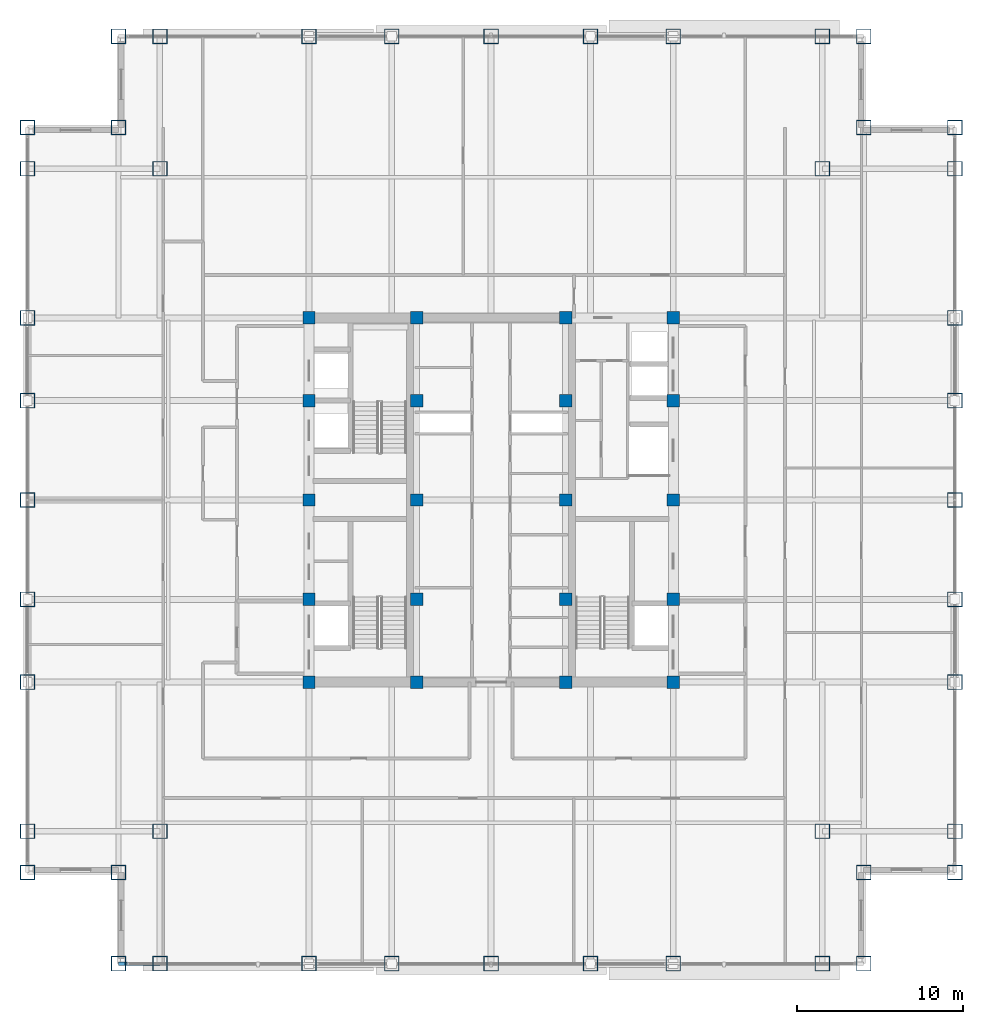
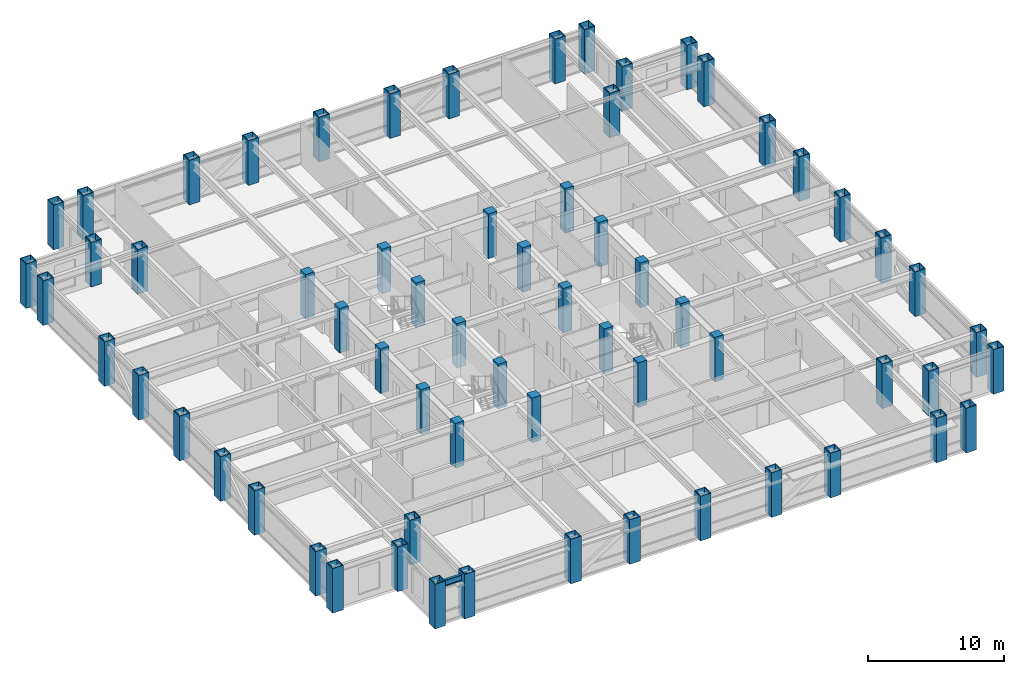
# One storey, part 1 of 27: 64 columns, 1 beam.
"""IFC4 building model written with IfcOpenShell, lengths in metres."""

from ifc_helpers import new_model, si_unit, direction, frame, origin, origin_2d, place, context, subcontext, project, spatial, rectangle, hollow_rectangle, i_section, extrude, source, transform, mapped, material, material_profile, profile_set, type_object, element, save


model = new_model("IFC4")

# Units and contexts
model_context = context("Model", 3, precision=1e-05, world=origin(), true_north=direction((0.0, 1.0)))
body_context = subcontext(model_context, "Body", "Model", "MODEL_VIEW")
ifc_project = project(units=[si_unit("LENGTHUNIT", "METRE"), si_unit("AREAUNIT", "SQUARE_METRE"), si_unit("VOLUMEUNIT", "CUBIC_METRE"), si_unit("PLANEANGLEUNIT", "RADIAN"), si_unit("MASSUNIT", "GRAM", prefix="KILO")], contexts=[model_context])

# Site, building, storey
site_placement = place(None, origin())
site = spatial("IfcSite", under=ifc_project, at=site_placement, CompositionType="ELEMENT")
building_placement = place(site_placement, origin())
building = spatial("IfcBuilding", under=site, at=building_placement, Name="Khorayat Bourse Tower", CompositionType="ELEMENT")
storey_placement = place(building_placement, frame((0.0, 0.0, 313.5)))
storey = spatial("IfcBuildingStorey", under=building, at=storey_placement, Name="L74", CompositionType="ELEMENT", Elevation=313.5)

# Columns
ifc_material_1 = material(Name="Steel EN 10025-4 S460M", Category="steel")
ifc_material_profile_1 = material_profile(ifc_material_1, hollow_rectangle(XDim=0.89990234375, YDim=0.89990234375, WallThickness=0.050048828125, at=origin_2d()), Name="BOX 900x900x50")
ifc_profile_set_1 = profile_set([ifc_material_profile_1], Name="Steel EN 10025-4 S460M")
column_type_1 = type_object("IfcColumnType", Name="COL-TUBE-900", PredefinedType="COLUMN", material=ifc_profile_set_1)
shared_shape_1 = source(origin(), body_context, "Body", "SweptSolid", [
    extrude(hollow_rectangle(XDim=0.89990234375, YDim=0.89990234375, WallThickness=0.050048828125, at=origin_2d()), origin(), (0.0, 0.0, 1.0), 4.0),
])
for number, where, z_axis, x_axis, name in (
    (1, (-28.0, -22.5, 0.0), (0.0, 0.0, 1.0), (1.0, 0.0, 0.0), "L74 Column 001"),
    (2, (-28.0, -20.0, 0.0), (0.0, 0.0, 1.0), (1.0, 0.0, 0.0), "L74 Column 002"),
    (3, (-28.0, -11.0, 0.0), (0.0, 0.0, 1.0), (1.0, 0.0, 0.0), "L74 Column 003"),
    (4, (-28.0, -6.0, 0.0), (0.0, 0.0, 1.0), (1.0, 0.0, 0.0), "L74 Column 004"),
    (5, (-28.0, 0.0, 0.0), (0.0, 0.0, 1.0), (1.0, 0.0, 0.0), "L74 Column 005"),
    (6, (-28.0, 6.0, 0.0), (0.0, 0.0, 1.0), (1.0, 0.0, 0.0), "L74 Column 006"),
    (7, (-28.0, 11.0, 0.0), (0.0, 0.0, 1.0), (1.0, 0.0, 0.0), "L74 Column 007"),
    (8, (-28.0, 20.0, 0.0), (0.0, 0.0, 1.0), (1.0, 0.0, 0.0), "L74 Column 008"),
    (9, (-28.0, 22.5, 0.0), (0.0, 0.0, 1.0), (1.0, 0.0, 0.0), "L74 Column 009"),
    (10, (-22.5, -28.0, 0.0), (0.0, 0.0, 1.0), (1.0, 0.0, 0.0), "L74 Column 010"),
    (11, (-22.5, -22.5, 0.0), (0.0, 0.0, 1.0), (1.0, 0.0, 0.0), "L74 Column 011"),
    (12, (-22.5, 22.5, 0.0), (0.0, 0.0, 1.0), (1.0, 0.0, 0.0), "L74 Column 012"),
    (13, (-22.5, 28.0, 0.0), (0.0, 0.0, 1.0), (1.0, 0.0, 0.0), "L74 Column 013"),
    (14, (-20.0, -28.0, 0.0), (0.0, 0.0, 1.0), (1.0, 0.0, 0.0), "L74 Column 014"),
    (15, (-20.0, -20.0, 0.0), (0.0, 0.0, 1.0), (1.0, 0.0, 0.0), "L74 Column 015"),
    (16, (-20.0, 20.0, 0.0), (0.0, 0.0, 1.0), (1.0, 0.0, 0.0), "L74 Column 016"),
    (17, (-20.0, 28.0, 0.0), (0.0, 0.0, 1.0), (1.0, 0.0, 0.0), "L74 Column 017"),
    (18, (-11.0, -28.0, 0.0), (0.0, 0.0, 1.0), (1.0, 0.0, 0.0), "L74 Column 018"),
    (19, (-11.0, 28.0, 0.0), (0.0, 0.0, 1.0), (1.0, 0.0, 0.0), "L74 Column 024"),
    (20, (-6.0, -28.0, 0.0), (0.0, 0.0, 1.0), (1.0, 0.0, 0.0), "L74 Column 025"),
    (21, (-6.0, 28.0, 0.0), (0.0, 0.0, 1.0), (1.0, 0.0, 0.0), "L74 Column 026"),
    (22, (0.0, -28.0, 0.0), (0.0, 0.0, 1.0), (1.0, 0.0, 0.0), "L74 Column 032"),
    (23, (0.0, 28.0, 0.0), (0.0, 0.0, 1.0), (1.0, 0.0, 0.0), "L74 Column 033"),
    (24, (6.0, -28.0, 0.0), (0.0, 0.0, 1.0), (1.0, 0.0, 0.0), "L74 Column 039"),
    (25, (6.0, 28.0, 0.0), (0.0, 0.0, 1.0), (1.0, 0.0, 0.0), "L74 Column 040"),
    (26, (11.0, -28.0, 0.0), (0.0, 0.0, 1.0), (1.0, 0.0, 0.0), "L74 Column 041"),
    (27, (11.0, 28.0, 0.0), (0.0, 0.0, 1.0), (1.0, 0.0, 0.0), "L74 Column 047"),
    (28, (20.0, -28.0, 0.0), (0.0, 0.0, 1.0), (1.0, 0.0, 0.0), "L74 Column 048"),
    (29, (20.0, -20.0, 0.0), (0.0, 0.0, 1.0), (1.0, 0.0, 0.0), "L74 Column 049"),
    (30, (20.0, 20.0, 0.0), (0.0, 0.0, 1.0), (1.0, 0.0, 0.0), "L74 Column 050"),
    (31, (20.0, 28.0, 0.0), (0.0, 0.0, 1.0), (1.0, 0.0, 0.0), "L74 Column 051"),
    (32, (22.5, -28.0, 0.0), (0.0, 0.0, 1.0), (1.0, 0.0, 0.0), "L74 Column 052"),
    (33, (22.5, -22.5, 0.0), (0.0, 0.0, 1.0), (1.0, 0.0, 0.0), "L74 Column 053"),
    (34, (22.5, 22.5, 0.0), (0.0, 0.0, 1.0), (1.0, 0.0, 0.0), "L74 Column 054"),
    (35, (22.5, 28.0, 0.0), (0.0, 0.0, 1.0), (1.0, 0.0, 0.0), "L74 Column 055"),
    (36, (28.0, -22.5, 0.0), (0.0, 0.0, 1.0), (1.0, 0.0, 0.0), "L74 Column 056"),
    (37, (28.0, -20.0, 0.0), (0.0, 0.0, 1.0), (1.0, 0.0, 0.0), "L74 Column 057"),
    (38, (28.0, -11.0, 0.0), (0.0, 0.0, 1.0), (1.0, 0.0, 0.0), "L74 Column 058"),
    (39, (28.0, -6.0, 0.0), (0.0, 0.0, 1.0), (1.0, 0.0, 0.0), "L74 Column 059"),
    (40, (28.0, 0.0, 0.0), (0.0, 0.0, 1.0), (1.0, 0.0, 0.0), "L74 Column 060"),
    (41, (28.0, 6.0, 0.0), (0.0, 0.0, 1.0), (1.0, 0.0, 0.0), "L74 Column 061"),
    (42, (28.0, 11.0, 0.0), (0.0, 0.0, 1.0), (1.0, 0.0, 0.0), "L74 Column 062"),
    (43, (28.0, 20.0, 0.0), (0.0, 0.0, 1.0), (1.0, 0.0, 0.0), "L74 Column 063"),
    (44, (28.0, 22.5, 0.0), (0.0, 0.0, 1.0), (1.0, 0.0, 0.0), "L74 Column 064"),
):
    element("IfcColumn", number, at=place(storey_placement, frame(where, z_axis=z_axis, x_axis=x_axis)), inside=storey, type_object=column_type_1, Name=name, PredefinedType="COLUMN", context=body_context, shape_type="MappedRepresentation", body=[
        mapped(shared_shape_1, transform((0.0, 0.0, 0.0), scale=1.0)),
    ])
ifc_material_2 = material(Name="Concrete C52/65", Category="concrete")
ifc_material_profile_2 = material_profile(ifc_material_2, rectangle(XDim=0.75, YDim=0.75, at=origin_2d()), Name="RC 750x750")
ifc_profile_set_2 = profile_set([ifc_material_profile_2], Name="Concrete C52/65")
column_type_2 = type_object("IfcColumnType", Name="COL-CORE-750", PredefinedType="COLUMN", material=ifc_profile_set_2)
shared_shape_2 = source(origin(), body_context, "Body", "SweptSolid", [
    extrude(rectangle(XDim=0.75, YDim=0.75, at=origin_2d()), origin(), (0.0, 0.0, 1.0), 4.0),
])
for number, where, z_axis, x_axis, name in (
    (45, (-11.0, -11.0, 0.0), (0.0, 0.0, 1.0), (1.0, 0.0, 0.0), "L74 Column 019"),
    (46, (-11.0, -6.0, 0.0), (0.0, 0.0, 1.0), (1.0, 0.0, 0.0), "L74 Column 020"),
    (47, (-11.0, 0.0, 0.0), (0.0, 0.0, 1.0), (1.0, 0.0, 0.0), "L74 Column 021"),
    (48, (-11.0, 6.0, 0.0), (0.0, 0.0, 1.0), (1.0, 0.0, 0.0), "L74 Column 022"),
    (49, (-11.0, 11.0, 0.0), (0.0, 0.0, 1.0), (1.0, 0.0, 0.0), "L74 Column 023"),
    (50, (-4.5, -11.0, 0.0), (0.0, 0.0, 1.0), (1.0, 0.0, 0.0), "L74 Column 027"),
    (51, (-4.5, -6.0, 0.0), (0.0, 0.0, 1.0), (1.0, 0.0, 0.0), "L74 Column 028"),
    (52, (-4.5, 0.0, 0.0), (0.0, 0.0, 1.0), (1.0, 0.0, 0.0), "L74 Column 029"),
    (53, (-4.5, 6.0, 0.0), (0.0, 0.0, 1.0), (1.0, 0.0, 0.0), "L74 Column 030"),
    (54, (-4.5, 11.0, 0.0), (0.0, 0.0, 1.0), (1.0, 0.0, 0.0), "L74 Column 031"),
    (55, (4.5, -11.0, 0.0), (0.0, 0.0, 1.0), (1.0, 0.0, 0.0), "L74 Column 034"),
    (56, (4.5, -6.0, 0.0), (0.0, 0.0, 1.0), (1.0, 0.0, 0.0), "L74 Column 035"),
    (57, (4.5, 0.0, 0.0), (0.0, 0.0, 1.0), (1.0, 0.0, 0.0), "L74 Column 036"),
    (58, (4.5, 6.0, 0.0), (0.0, 0.0, 1.0), (1.0, 0.0, 0.0), "L74 Column 037"),
    (59, (4.5, 11.0, 0.0), (0.0, 0.0, 1.0), (1.0, 0.0, 0.0), "L74 Column 038"),
    (60, (11.0, -11.0, 0.0), (0.0, 0.0, 1.0), (1.0, 0.0, 0.0), "L74 Column 042"),
    (61, (11.0, -6.0, 0.0), (0.0, 0.0, 1.0), (1.0, 0.0, 0.0), "L74 Column 043"),
    (62, (11.0, 0.0, 0.0), (0.0, 0.0, 1.0), (1.0, 0.0, 0.0), "L74 Column 044"),
    (63, (11.0, 6.0, 0.0), (0.0, 0.0, 1.0), (1.0, 0.0, 0.0), "L74 Column 045"),
    (64, (11.0, 11.0, 0.0), (0.0, 0.0, 1.0), (1.0, 0.0, 0.0), "L74 Column 046"),
):
    element("IfcColumn", number, at=place(storey_placement, frame(where, z_axis=z_axis, x_axis=x_axis)), inside=storey, type_object=column_type_2, Name=name, PredefinedType="COLUMN", context=body_context, shape_type="MappedRepresentation", body=[
        mapped(shared_shape_2, transform((0.0, 0.0, 0.0), scale=1.0)),
    ])

# Beam
ifc_material_3 = material(Name="Steel ASTM A992 Grade 50", Category="steel")
ifc_material_profile_3 = material_profile(ifc_material_3, i_section(OverallWidth=0.214111328125, OverallDepth=0.549072265625, WebThickness=0.0146484375, FlangeThickness=0.023681640625, FilletRadius=0.013916015625, at=origin_2d()), Name="W530X138")
ifc_profile_set_3 = profile_set([ifc_material_profile_3], Name="Steel ASTM A992 Grade 50")
beam_type = type_object("IfcBeamType", Name="BM-SPAN-530", PredefinedType="SPANDREL", material=ifc_profile_set_3)
shared_shape_3 = source(origin(), body_context, "Body", "SweptSolid", [
    extrude(i_section(OverallWidth=0.214111328125, OverallDepth=0.549072265625, WebThickness=0.0146484375, FlangeThickness=0.023681640625, FilletRadius=0.013916015625, at=origin_2d()), origin(), (0.0, 0.0, 1.0), 2.5),
])
beam_placement = place(storey_placement, frame((-22.5, -28.0, 3.505615234375), z_axis=(1.0, 0.0, 0.0), x_axis=(0.0, 1.0, 0.0)))
element("IfcBeam", 65, at=beam_placement, inside=storey, type_object=beam_type, Name="L74 BM-SPAN-530 BM-L74-SPN-024", PredefinedType="SPANDREL", context=body_context, shape_type="MappedRepresentation", body=[
    mapped(shared_shape_3, transform((0.0, 0.0, 0.0), scale=1.0)),
])

save(model, "model.ifc")
